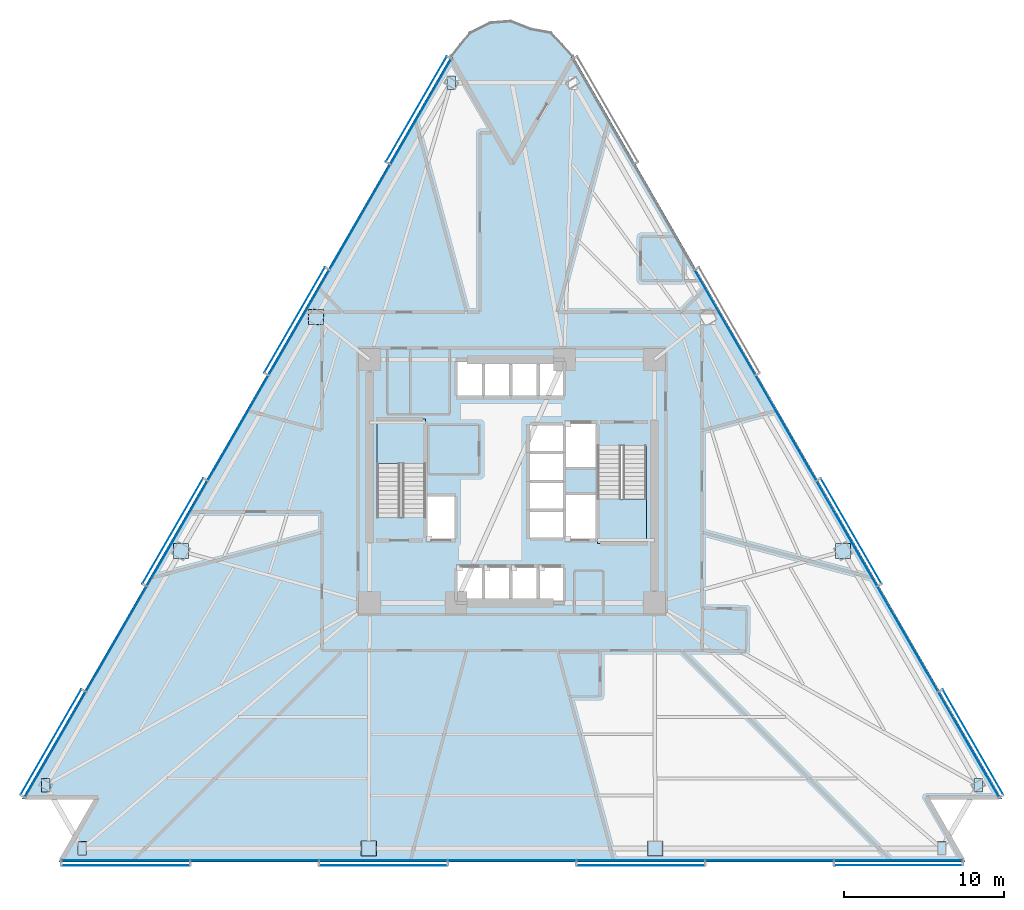
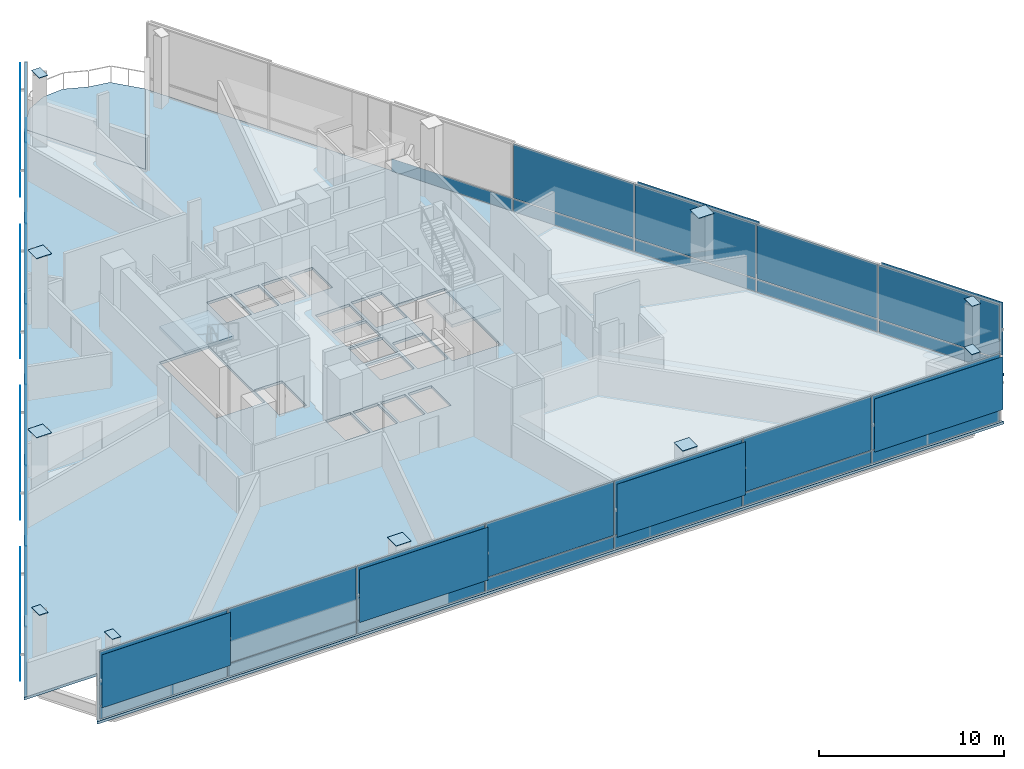
# One storey, part 6 of 17: 57 plates, 4 slabs, 5 elements without a shape of their own.
"""IFC4 building model written with IfcOpenShell, lengths in metres."""

from ifc_helpers import new_model, si_unit, direction, frame, origin, origin_2d, place, context, subcontext, project, spatial, polyline, rectangle, outline, extrude, material, layer, layer_set, type_object, element, aggregate, save


model = new_model("IFC4")

# Units and contexts
model_context = context("Model", 3, precision=1e-05, world=origin(), true_north=direction((0.0, 1.0)))
body_context = subcontext(model_context, "Body", "Model", "MODEL_VIEW")
ifc_project = project(units=[si_unit("LENGTHUNIT", "METRE"), si_unit("AREAUNIT", "SQUARE_METRE"), si_unit("VOLUMEUNIT", "CUBIC_METRE"), si_unit("PLANEANGLEUNIT", "RADIAN"), si_unit("MASSUNIT", "GRAM", prefix="KILO")], contexts=[model_context])

# Site, building, storey
site_placement = place(None, origin())
site = spatial("IfcSite", under=ifc_project, at=site_placement, CompositionType="ELEMENT")
building_placement = place(site_placement, origin())
building = spatial("IfcBuilding", under=site, at=building_placement, Name="Tharavind Bronze Gate", CompositionType="ELEMENT")
storey_placement = place(building_placement, frame((0.0, 0.0, 52.25)))
storey = spatial("IfcBuildingStorey", under=building, at=storey_placement, Name="L12", CompositionType="ELEMENT", Elevation=52.25)

# Plates
ifc_material_1 = material(Name="Perforated Bronze Alloy", Category="bronze")
ifc_layer_1 = layer(ifc_material_1, 0.011962890625)
ifc_layer_set_1 = layer_set([ifc_layer_1], Name="Perforated Bronze Alloy")
plate_type_1 = type_object("IfcPlateType", Name="BRONZE PERFORATED SOLAR SCREEN", PredefinedType="USERDEFINED", material=ifc_layer_set_1)
for number, where, z_axis, x_axis, name in (
    (1, (-5.976806640625, 23.27783203125, 0.97412109375), (0.0, 0.0, 1.0), (-0.500001511499, -0.866024531118, 0.0), "CW-L12-S1 perforated bronze solar screen 1"),
    (2, (-13.5927734375, 10.086669921875, 0.97412109375), (0.0, 0.0, 1.0), (-0.500001511499, -0.866024531118, 0.0), "CW-L12-S1 perforated bronze solar screen 3"),
    (3, (-21.208740234375, -3.1044921875, 0.97412109375), (0.0, 0.0, 1.0), (-0.500001511499, -0.866024531118, 0.0), "CW-L12-S1 perforated bronze solar screen 5"),
    (4, (-28.82470703125, -16.295654296875, 0.97412109375), (0.0, 0.0, 1.0), (-0.500001511499, -0.866024531118, 0.0), "CW-L12-S1 perforated bronze solar screen 7"),
):
    element("IfcPlate", number, at=place(storey_placement, frame(where, z_axis=z_axis, x_axis=x_axis)), inside=storey, type_object=plate_type_1, Name=name, ObjectType="SCREEN", PredefinedType="USERDEFINED", context=body_context, shape_type="SweptSolid", body=[
        extrude(rectangle(XDim=7.595947265625, YDim=0.011962890625, at=origin_2d()), origin(), (0.0, 0.0, 1.0), 3.511962890625),
    ])
for number, where, z_axis, x_axis, name in (
    (5, (-24.150634765625, -24.014892578125, 0.97412109375), (0.0, 0.0, 1.0), (1.0, 0.0, 0.0), "CW-L12-S2 perforated bronze solar screen 1"),
    (6, (-8.05029296875, -24.014892578125, 0.97412109375), (0.0, 0.0, 1.0), (1.0, 0.0, 0.0), "CW-L12-S2 perforated bronze solar screen 3"),
    (7, (8.05029296875, -24.014892578125, 0.97412109375), (0.0, 0.0, 1.0), (1.0, 0.0, 0.0), "CW-L12-S2 perforated bronze solar screen 5"),
    (8, (24.150634765625, -24.014892578125, 0.97412109375), (0.0, 0.0, 1.0), (1.0, 0.0, 0.0), "CW-L12-S2 perforated bronze solar screen 7"),
):
    element("IfcPlate", number, at=place(storey_placement, frame(where, z_axis=z_axis, x_axis=x_axis)), inside=storey, type_object=plate_type_1, Name=name, ObjectType="SCREEN", PredefinedType="USERDEFINED", context=body_context, shape_type="SweptSolid", body=[
        extrude(rectangle(XDim=8.0302734375, YDim=0.011962890625, at=origin_2d()), origin(), (0.0, 0.0, 1.0), 3.511962890625),
    ])
for number, where, z_axis, x_axis, name in (
    (9, (28.82470703125, -16.295654296875, 0.97412109375), (0.0, 0.0, 1.0), (-0.500001511499, 0.866024531118, 0.0), "CW-L12-S3 perforated bronze solar screen 1"),
    (10, (21.208740234375, -3.1044921875, 0.97412109375), (0.0, 0.0, 1.0), (-0.500001511499, 0.866024531118, 0.0), "CW-L12-S3 perforated bronze solar screen 3"),
):
    element("IfcPlate", number, at=place(storey_placement, frame(where, z_axis=z_axis, x_axis=x_axis)), inside=storey, type_object=plate_type_1, Name=name, ObjectType="SCREEN", PredefinedType="USERDEFINED", context=body_context, shape_type="SweptSolid", body=[
        extrude(rectangle(XDim=7.595947265625, YDim=0.011962890625, at=origin_2d()), origin(), (0.0, 0.0, 1.0), 3.511962890625),
    ])

# Curtain wall, plates
ifc_material_2 = material(Name="Anodised Bronze Aluminium", Category="aluminium")
ifc_layer_2 = layer(ifc_material_2, 0.219970703125)
ifc_layer_set_2 = layer_set([ifc_layer_2], Name="Anodised Bronze Aluminium")
curtain_wall_type = type_object("IfcCurtainWallType", Name="UNITISED CURTAIN WALL HOTEL", PredefinedType="USERDEFINED", material=ifc_layer_set_2)
curtain_wall_1_placement = place(storey_placement, origin())
curtain_wall_1 = element("IfcCurtainWall", 11, at=curtain_wall_1_placement, inside=storey, type_object=curtain_wall_type, Name="L12 unitised curtain wall hotel CW-L12-S1", ObjectType="UNITISED CURTAIN WALL", PredefinedType="USERDEFINED")
ifc_material_3 = material(Name="Patinated Bronze Alloy Sheet", Category="bronze")
ifc_layer_3 = layer(ifc_material_3, 0.01611328125)
ifc_layer_set_3 = layer_set([ifc_layer_3], Name="Patinated Bronze Alloy Sheet")
plate_type_2 = type_object("IfcPlateType", Name="BRONZE SPANDREL CLADDING PANEL 16", PredefinedType="CURTAIN_PANEL", material=ifc_layer_set_3)
plate_1_placement = place(storey_placement, frame((-5.7041015625, 23.120361328125, 0.033935546875), z_axis=(0.0, 0.0, 1.0), x_axis=(-0.500001511499, -0.866024531118, 0.0)))
plate_1 = element("IfcPlate", 12, at=plate_1_placement, type_object=plate_type_2, Name="CW-L12-S1 bronze spandrel panel 1", PredefinedType="CURTAIN_PANEL", context=body_context, shape_type="SweptSolid", body=[
    extrude(rectangle(XDim=7.5478515625, YDim=0.01611328125, at=origin_2d()), origin(), (0.0, 0.0, 1.0), 0.83203125),
])
plate_2_placement = place(storey_placement, frame((-9.511962890625, 16.52490234375, 0.033935546875), z_axis=(0.0, 0.0, 1.0), x_axis=(-0.500001511499, -0.866024531118, 0.0)))
plate_2 = element("IfcPlate", 13, at=plate_2_placement, type_object=plate_type_2, Name="CW-L12-S1 bronze spandrel panel 2", PredefinedType="CURTAIN_PANEL", context=body_context, shape_type="SweptSolid", body=[
    extrude(rectangle(XDim=7.5478515625, YDim=0.01611328125, at=origin_2d()), origin(), (0.0, 0.0, 1.0), 0.83203125),
])
plate_3_placement = place(storey_placement, frame((-13.31982421875, 9.92919921875, 0.033935546875), z_axis=(0.0, 0.0, 1.0), x_axis=(-0.500001511499, -0.866024531118, 0.0)))
plate_3 = element("IfcPlate", 14, at=plate_3_placement, type_object=plate_type_2, Name="CW-L12-S1 bronze spandrel panel 3", PredefinedType="CURTAIN_PANEL", context=body_context, shape_type="SweptSolid", body=[
    extrude(rectangle(XDim=7.5478515625, YDim=0.01611328125, at=origin_2d()), origin(), (0.0, 0.0, 1.0), 0.83203125),
])
plate_4_placement = place(storey_placement, frame((-17.1279296875, 3.33349609375, 0.033935546875), z_axis=(0.0, 0.0, 1.0), x_axis=(-0.500001511499, -0.866024531118, 0.0)))
plate_4 = element("IfcPlate", 15, at=plate_4_placement, type_object=plate_type_2, Name="CW-L12-S1 bronze spandrel panel 4", PredefinedType="CURTAIN_PANEL", context=body_context, shape_type="SweptSolid", body=[
    extrude(rectangle(XDim=7.5478515625, YDim=0.01611328125, at=origin_2d()), origin(), (0.0, 0.0, 1.0), 0.83203125),
])
plate_5_placement = place(storey_placement, frame((-20.935791015625, -3.261962890625, 0.033935546875), z_axis=(0.0, 0.0, 1.0), x_axis=(-0.500001511499, -0.866024531118, 0.0)))
plate_5 = element("IfcPlate", 16, at=plate_5_placement, type_object=plate_type_2, Name="CW-L12-S1 bronze spandrel panel 5", PredefinedType="CURTAIN_PANEL", context=body_context, shape_type="SweptSolid", body=[
    extrude(rectangle(XDim=7.5478515625, YDim=0.01611328125, at=origin_2d()), origin(), (0.0, 0.0, 1.0), 0.83203125),
])
plate_6_placement = place(storey_placement, frame((-24.743896484375, -9.857421875, 0.033935546875), z_axis=(0.0, 0.0, 1.0), x_axis=(-0.500001511499, -0.866024531118, 0.0)))
plate_6 = element("IfcPlate", 17, at=plate_6_placement, type_object=plate_type_2, Name="CW-L12-S1 bronze spandrel panel 6", PredefinedType="CURTAIN_PANEL", context=body_context, shape_type="SweptSolid", body=[
    extrude(rectangle(XDim=7.5478515625, YDim=0.01611328125, at=origin_2d()), origin(), (0.0, 0.0, 1.0), 0.83203125),
])
plate_7_placement = place(storey_placement, frame((-28.5517578125, -16.453125, 0.033935546875), z_axis=(0.0, 0.0, 1.0), x_axis=(-0.500001511499, -0.866024531118, 0.0)))
plate_7 = element("IfcPlate", 18, at=plate_7_placement, type_object=plate_type_2, Name="CW-L12-S1 bronze spandrel panel 7", PredefinedType="CURTAIN_PANEL", context=body_context, shape_type="SweptSolid", body=[
    extrude(rectangle(XDim=7.5478515625, YDim=0.01611328125, at=origin_2d()), origin(), (0.0, 0.0, 1.0), 0.83203125),
])

curtain_wall_2_placement = place(storey_placement, origin())
curtain_wall_2 = element("IfcCurtainWall", 19, at=curtain_wall_2_placement, inside=storey, type_object=curtain_wall_type, Name="L12 unitised curtain wall hotel CW-L12-S2", ObjectType="UNITISED CURTAIN WALL", PredefinedType="USERDEFINED")
plate_8_placement = place(storey_placement, frame((-24.150634765625, -23.699951171875, 0.033935546875), z_axis=(0.0, 0.0, 1.0), x_axis=(1.0, 0.0, 0.0)))
plate_8 = element("IfcPlate", 20, at=plate_8_placement, type_object=plate_type_2, Name="CW-L12-S2 bronze spandrel panel 1", PredefinedType="CURTAIN_PANEL", context=body_context, shape_type="SweptSolid", body=[
    extrude(rectangle(XDim=7.982177734375, YDim=0.01611328125, at=origin_2d()), origin(), (0.0, 0.0, 1.0), 0.83203125),
])
plate_9_placement = place(storey_placement, frame((-16.1005859375, -23.699951171875, 0.033935546875), z_axis=(0.0, 0.0, 1.0), x_axis=(1.0, 0.0, 0.0)))
plate_9 = element("IfcPlate", 21, at=plate_9_placement, type_object=plate_type_2, Name="CW-L12-S2 bronze spandrel panel 2", PredefinedType="CURTAIN_PANEL", context=body_context, shape_type="SweptSolid", body=[
    extrude(rectangle(XDim=7.982177734375, YDim=0.01611328125, at=origin_2d()), origin(), (0.0, 0.0, 1.0), 0.83203125),
])
plate_10_placement = place(storey_placement, frame((-8.05029296875, -23.699951171875, 0.033935546875), z_axis=(0.0, 0.0, 1.0), x_axis=(1.0, 0.0, 0.0)))
plate_10 = element("IfcPlate", 22, at=plate_10_placement, type_object=plate_type_2, Name="CW-L12-S2 bronze spandrel panel 3", PredefinedType="CURTAIN_PANEL", context=body_context, shape_type="SweptSolid", body=[
    extrude(rectangle(XDim=7.982177734375, YDim=0.01611328125, at=origin_2d()), origin(), (0.0, 0.0, 1.0), 0.83203125),
])
plate_11_placement = place(storey_placement, frame((0.0, -23.699951171875, 0.033935546875), z_axis=(0.0, 0.0, 1.0), x_axis=(1.0, 0.0, 0.0)))
plate_11 = element("IfcPlate", 23, at=plate_11_placement, type_object=plate_type_2, Name="CW-L12-S2 bronze spandrel panel 4", PredefinedType="CURTAIN_PANEL", context=body_context, shape_type="SweptSolid", body=[
    extrude(rectangle(XDim=7.982177734375, YDim=0.01611328125, at=origin_2d()), origin(), (0.0, 0.0, 1.0), 0.83203125),
])
plate_12_placement = place(storey_placement, frame((8.05029296875, -23.699951171875, 0.033935546875), z_axis=(0.0, 0.0, 1.0), x_axis=(1.0, 0.0, 0.0)))
plate_12 = element("IfcPlate", 24, at=plate_12_placement, type_object=plate_type_2, Name="CW-L12-S2 bronze spandrel panel 5", PredefinedType="CURTAIN_PANEL", context=body_context, shape_type="SweptSolid", body=[
    extrude(rectangle(XDim=7.982177734375, YDim=0.01611328125, at=origin_2d()), origin(), (0.0, 0.0, 1.0), 0.83203125),
])
plate_13_placement = place(storey_placement, frame((16.1005859375, -23.699951171875, 0.033935546875), z_axis=(0.0, 0.0, 1.0), x_axis=(1.0, 0.0, 0.0)))
plate_13 = element("IfcPlate", 25, at=plate_13_placement, type_object=plate_type_2, Name="CW-L12-S2 bronze spandrel panel 6", PredefinedType="CURTAIN_PANEL", context=body_context, shape_type="SweptSolid", body=[
    extrude(rectangle(XDim=7.982177734375, YDim=0.01611328125, at=origin_2d()), origin(), (0.0, 0.0, 1.0), 0.83203125),
])
plate_14_placement = place(storey_placement, frame((24.150634765625, -23.699951171875, 0.033935546875), z_axis=(0.0, 0.0, 1.0), x_axis=(1.0, 0.0, 0.0)))
plate_14 = element("IfcPlate", 26, at=plate_14_placement, type_object=plate_type_2, Name="CW-L12-S2 bronze spandrel panel 7", PredefinedType="CURTAIN_PANEL", context=body_context, shape_type="SweptSolid", body=[
    extrude(rectangle(XDim=7.982177734375, YDim=0.01611328125, at=origin_2d()), origin(), (0.0, 0.0, 1.0), 0.83203125),
])

curtain_wall_3_placement = place(storey_placement, origin())
curtain_wall_3 = element("IfcCurtainWall", 27, at=curtain_wall_3_placement, inside=storey, type_object=curtain_wall_type, Name="L12 unitised curtain wall hotel CW-L12-S3", ObjectType="UNITISED CURTAIN WALL", PredefinedType="USERDEFINED")
plate_15_placement = place(storey_placement, frame((28.5517578125, -16.453125, 0.033935546875), z_axis=(0.0, 0.0, 1.0), x_axis=(-0.500001511499, 0.866024531118, 0.0)))
plate_15 = element("IfcPlate", 28, at=plate_15_placement, type_object=plate_type_2, Name="CW-L12-S3 bronze spandrel panel 1", PredefinedType="CURTAIN_PANEL", context=body_context, shape_type="SweptSolid", body=[
    extrude(rectangle(XDim=7.5478515625, YDim=0.01611328125, at=origin_2d()), origin(), (0.0, 0.0, 1.0), 0.83203125),
])
plate_16_placement = place(storey_placement, frame((24.743896484375, -9.857421875, 0.033935546875), z_axis=(0.0, 0.0, 1.0), x_axis=(-0.500001511499, 0.866024531118, 0.0)))
plate_16 = element("IfcPlate", 29, at=plate_16_placement, type_object=plate_type_2, Name="CW-L12-S3 bronze spandrel panel 2", PredefinedType="CURTAIN_PANEL", context=body_context, shape_type="SweptSolid", body=[
    extrude(rectangle(XDim=7.5478515625, YDim=0.01611328125, at=origin_2d()), origin(), (0.0, 0.0, 1.0), 0.83203125),
])
plate_17_placement = place(storey_placement, frame((20.935791015625, -3.261962890625, 0.033935546875), z_axis=(0.0, 0.0, 1.0), x_axis=(-0.500001511499, 0.866024531118, 0.0)))
plate_17 = element("IfcPlate", 30, at=plate_17_placement, type_object=plate_type_2, Name="CW-L12-S3 bronze spandrel panel 3", PredefinedType="CURTAIN_PANEL", context=body_context, shape_type="SweptSolid", body=[
    extrude(rectangle(XDim=7.5478515625, YDim=0.01611328125, at=origin_2d()), origin(), (0.0, 0.0, 1.0), 0.83203125),
])
plate_18_placement = place(storey_placement, frame((17.1279296875, 3.33349609375, 0.033935546875), z_axis=(0.0, 0.0, 1.0), x_axis=(-0.500001511499, 0.866024531118, 0.0)))
plate_18 = element("IfcPlate", 31, at=plate_18_placement, type_object=plate_type_2, Name="CW-L12-S3 bronze spandrel panel 4", PredefinedType="CURTAIN_PANEL", context=body_context, shape_type="SweptSolid", body=[
    extrude(rectangle(XDim=7.5478515625, YDim=0.01611328125, at=origin_2d()), origin(), (0.0, 0.0, 1.0), 0.83203125),
])
plate_19_placement = place(storey_placement, frame((13.31982421875, 9.92919921875, 0.033935546875), z_axis=(0.0, 0.0, 1.0), x_axis=(-0.500001511499, 0.866024531118, 0.0)))
plate_19 = element("IfcPlate", 32, at=plate_19_placement, type_object=plate_type_2, Name="CW-L12-S3 bronze spandrel panel 5", PredefinedType="CURTAIN_PANEL", context=body_context, shape_type="SweptSolid", body=[
    extrude(rectangle(XDim=7.5478515625, YDim=0.01611328125, at=origin_2d()), origin(), (0.0, 0.0, 1.0), 0.83203125),
])

# Plate
ifc_material_4 = material(Name="Low-E Double Glazing", Category="glass")
ifc_layer_4 = layer(ifc_material_4, 0.031982421875)
ifc_layer_set_4 = layer_set([ifc_layer_4], Name="Low-E Double Glazing")
plate_type_3 = type_object("IfcPlateType", Name="DOUBLE GLAZED FACADE PANEL 32", PredefinedType="CURTAIN_PANEL", material=ifc_layer_set_4)
plate_20_placement = place(storey_placement, frame((-5.7041015625, 23.120361328125, 0.93408203125), z_axis=(0.0, 0.0, 1.0), x_axis=(-0.500001511499, -0.866024531118, 0.0)))
plate_20 = element("IfcPlate", 33, at=plate_20_placement, type_object=plate_type_3, Name="CW-L12-S1 vision glazing panel 1", PredefinedType="CURTAIN_PANEL", context=body_context, shape_type="SweptSolid", body=[
    extrude(rectangle(XDim=7.5478515625, YDim=0.031982421875, at=origin_2d()), origin(), (0.0, 0.0, 1.0), 3.592041015625),
])

plate_21_placement = place(storey_placement, frame((-9.511962890625, 16.52490234375, 0.93408203125), z_axis=(0.0, 0.0, 1.0), x_axis=(-0.500001511499, -0.866024531118, 0.0)))
plate_21 = element("IfcPlate", 34, at=plate_21_placement, type_object=plate_type_3, Name="CW-L12-S1 vision glazing panel 2", PredefinedType="CURTAIN_PANEL", context=body_context, shape_type="SweptSolid", body=[
    extrude(rectangle(XDim=7.5478515625, YDim=0.031982421875, at=origin_2d()), origin(), (0.0, 0.0, 1.0), 3.592041015625),
])

plate_22_placement = place(storey_placement, frame((-13.31982421875, 9.92919921875, 0.93408203125), z_axis=(0.0, 0.0, 1.0), x_axis=(-0.500001511499, -0.866024531118, 0.0)))
plate_22 = element("IfcPlate", 35, at=plate_22_placement, type_object=plate_type_3, Name="CW-L12-S1 vision glazing panel 3", PredefinedType="CURTAIN_PANEL", context=body_context, shape_type="SweptSolid", body=[
    extrude(rectangle(XDim=7.5478515625, YDim=0.031982421875, at=origin_2d()), origin(), (0.0, 0.0, 1.0), 3.592041015625),
])

plate_23_placement = place(storey_placement, frame((-17.1279296875, 3.33349609375, 0.93408203125), z_axis=(0.0, 0.0, 1.0), x_axis=(-0.500001511499, -0.866024531118, 0.0)))
plate_23 = element("IfcPlate", 36, at=plate_23_placement, type_object=plate_type_3, Name="CW-L12-S1 vision glazing panel 4", PredefinedType="CURTAIN_PANEL", context=body_context, shape_type="SweptSolid", body=[
    extrude(rectangle(XDim=7.5478515625, YDim=0.031982421875, at=origin_2d()), origin(), (0.0, 0.0, 1.0), 3.592041015625),
])

plate_24_placement = place(storey_placement, frame((-20.935791015625, -3.261962890625, 0.93408203125), z_axis=(0.0, 0.0, 1.0), x_axis=(-0.500001511499, -0.866024531118, 0.0)))
plate_24 = element("IfcPlate", 37, at=plate_24_placement, type_object=plate_type_3, Name="CW-L12-S1 vision glazing panel 5", PredefinedType="CURTAIN_PANEL", context=body_context, shape_type="SweptSolid", body=[
    extrude(rectangle(XDim=7.5478515625, YDim=0.031982421875, at=origin_2d()), origin(), (0.0, 0.0, 1.0), 3.592041015625),
])

plate_25_placement = place(storey_placement, frame((-24.743896484375, -9.857421875, 0.93408203125), z_axis=(0.0, 0.0, 1.0), x_axis=(-0.500001511499, -0.866024531118, 0.0)))
plate_25 = element("IfcPlate", 38, at=plate_25_placement, type_object=plate_type_3, Name="CW-L12-S1 vision glazing panel 6", PredefinedType="CURTAIN_PANEL", context=body_context, shape_type="SweptSolid", body=[
    extrude(rectangle(XDim=7.5478515625, YDim=0.031982421875, at=origin_2d()), origin(), (0.0, 0.0, 1.0), 3.592041015625),
])

plate_26_placement = place(storey_placement, frame((-28.5517578125, -16.453125, 0.93408203125), z_axis=(0.0, 0.0, 1.0), x_axis=(-0.500001511499, -0.866024531118, 0.0)))
plate_26 = element("IfcPlate", 39, at=plate_26_placement, type_object=plate_type_3, Name="CW-L12-S1 vision glazing panel 7", PredefinedType="CURTAIN_PANEL", context=body_context, shape_type="SweptSolid", body=[
    extrude(rectangle(XDim=7.5478515625, YDim=0.031982421875, at=origin_2d()), origin(), (0.0, 0.0, 1.0), 3.592041015625),
])

aggregate(curtain_wall_1, [plate_1, plate_20, plate_2, plate_21, plate_3, plate_22, plate_4, plate_23, plate_5, plate_24, plate_6, plate_25, plate_7, plate_26])

plate_27_placement = place(storey_placement, frame((-24.150634765625, -23.699951171875, 0.93408203125), z_axis=(0.0, 0.0, 1.0), x_axis=(1.0, 0.0, 0.0)))
plate_27 = element("IfcPlate", 40, at=plate_27_placement, type_object=plate_type_3, Name="CW-L12-S2 vision glazing panel 1", PredefinedType="CURTAIN_PANEL", context=body_context, shape_type="SweptSolid", body=[
    extrude(rectangle(XDim=7.982177734375, YDim=0.031982421875, at=origin_2d()), origin(), (0.0, 0.0, 1.0), 3.592041015625),
])

plate_28_placement = place(storey_placement, frame((-16.1005859375, -23.699951171875, 0.93408203125), z_axis=(0.0, 0.0, 1.0), x_axis=(1.0, 0.0, 0.0)))
plate_28 = element("IfcPlate", 41, at=plate_28_placement, type_object=plate_type_3, Name="CW-L12-S2 vision glazing panel 2", PredefinedType="CURTAIN_PANEL", context=body_context, shape_type="SweptSolid", body=[
    extrude(rectangle(XDim=7.982177734375, YDim=0.031982421875, at=origin_2d()), origin(), (0.0, 0.0, 1.0), 3.592041015625),
])

plate_29_placement = place(storey_placement, frame((-8.05029296875, -23.699951171875, 0.93408203125), z_axis=(0.0, 0.0, 1.0), x_axis=(1.0, 0.0, 0.0)))
plate_29 = element("IfcPlate", 42, at=plate_29_placement, type_object=plate_type_3, Name="CW-L12-S2 vision glazing panel 3", PredefinedType="CURTAIN_PANEL", context=body_context, shape_type="SweptSolid", body=[
    extrude(rectangle(XDim=7.982177734375, YDim=0.031982421875, at=origin_2d()), origin(), (0.0, 0.0, 1.0), 3.592041015625),
])

plate_30_placement = place(storey_placement, frame((0.0, -23.699951171875, 0.93408203125), z_axis=(0.0, 0.0, 1.0), x_axis=(1.0, 0.0, 0.0)))
plate_30 = element("IfcPlate", 43, at=plate_30_placement, type_object=plate_type_3, Name="CW-L12-S2 vision glazing panel 4", PredefinedType="CURTAIN_PANEL", context=body_context, shape_type="SweptSolid", body=[
    extrude(rectangle(XDim=7.982177734375, YDim=0.031982421875, at=origin_2d()), origin(), (0.0, 0.0, 1.0), 3.592041015625),
])

plate_31_placement = place(storey_placement, frame((8.05029296875, -23.699951171875, 0.93408203125), z_axis=(0.0, 0.0, 1.0), x_axis=(1.0, 0.0, 0.0)))
plate_31 = element("IfcPlate", 44, at=plate_31_placement, type_object=plate_type_3, Name="CW-L12-S2 vision glazing panel 5", PredefinedType="CURTAIN_PANEL", context=body_context, shape_type="SweptSolid", body=[
    extrude(rectangle(XDim=7.982177734375, YDim=0.031982421875, at=origin_2d()), origin(), (0.0, 0.0, 1.0), 3.592041015625),
])

plate_32_placement = place(storey_placement, frame((16.1005859375, -23.699951171875, 0.93408203125), z_axis=(0.0, 0.0, 1.0), x_axis=(1.0, 0.0, 0.0)))
plate_32 = element("IfcPlate", 45, at=plate_32_placement, type_object=plate_type_3, Name="CW-L12-S2 vision glazing panel 6", PredefinedType="CURTAIN_PANEL", context=body_context, shape_type="SweptSolid", body=[
    extrude(rectangle(XDim=7.982177734375, YDim=0.031982421875, at=origin_2d()), origin(), (0.0, 0.0, 1.0), 3.592041015625),
])

plate_33_placement = place(storey_placement, frame((24.150634765625, -23.699951171875, 0.93408203125), z_axis=(0.0, 0.0, 1.0), x_axis=(1.0, 0.0, 0.0)))
plate_33 = element("IfcPlate", 46, at=plate_33_placement, type_object=plate_type_3, Name="CW-L12-S2 vision glazing panel 7", PredefinedType="CURTAIN_PANEL", context=body_context, shape_type="SweptSolid", body=[
    extrude(rectangle(XDim=7.982177734375, YDim=0.031982421875, at=origin_2d()), origin(), (0.0, 0.0, 1.0), 3.592041015625),
])

aggregate(curtain_wall_2, [plate_8, plate_27, plate_9, plate_28, plate_10, plate_29, plate_11, plate_30, plate_12, plate_31, plate_13, plate_32, plate_14, plate_33])

plate_34_placement = place(storey_placement, frame((28.5517578125, -16.453125, 0.93408203125), z_axis=(0.0, 0.0, 1.0), x_axis=(-0.500001511499, 0.866024531118, 0.0)))
plate_34 = element("IfcPlate", 47, at=plate_34_placement, type_object=plate_type_3, Name="CW-L12-S3 vision glazing panel 1", PredefinedType="CURTAIN_PANEL", context=body_context, shape_type="SweptSolid", body=[
    extrude(rectangle(XDim=7.5478515625, YDim=0.031982421875, at=origin_2d()), origin(), (0.0, 0.0, 1.0), 3.592041015625),
])

plate_35_placement = place(storey_placement, frame((24.743896484375, -9.857421875, 0.93408203125), z_axis=(0.0, 0.0, 1.0), x_axis=(-0.500001511499, 0.866024531118, 0.0)))
plate_35 = element("IfcPlate", 48, at=plate_35_placement, type_object=plate_type_3, Name="CW-L12-S3 vision glazing panel 2", PredefinedType="CURTAIN_PANEL", context=body_context, shape_type="SweptSolid", body=[
    extrude(rectangle(XDim=7.5478515625, YDim=0.031982421875, at=origin_2d()), origin(), (0.0, 0.0, 1.0), 3.592041015625),
])

plate_36_placement = place(storey_placement, frame((20.935791015625, -3.261962890625, 0.93408203125), z_axis=(0.0, 0.0, 1.0), x_axis=(-0.500001511499, 0.866024531118, 0.0)))
plate_36 = element("IfcPlate", 49, at=plate_36_placement, type_object=plate_type_3, Name="CW-L12-S3 vision glazing panel 3", PredefinedType="CURTAIN_PANEL", context=body_context, shape_type="SweptSolid", body=[
    extrude(rectangle(XDim=7.5478515625, YDim=0.031982421875, at=origin_2d()), origin(), (0.0, 0.0, 1.0), 3.592041015625),
])

plate_37_placement = place(storey_placement, frame((17.1279296875, 3.33349609375, 0.93408203125), z_axis=(0.0, 0.0, 1.0), x_axis=(-0.500001511499, 0.866024531118, 0.0)))
plate_37 = element("IfcPlate", 50, at=plate_37_placement, type_object=plate_type_3, Name="CW-L12-S3 vision glazing panel 4", PredefinedType="CURTAIN_PANEL", context=body_context, shape_type="SweptSolid", body=[
    extrude(rectangle(XDim=7.5478515625, YDim=0.031982421875, at=origin_2d()), origin(), (0.0, 0.0, 1.0), 3.592041015625),
])

aggregate(curtain_wall_3, [plate_15, plate_34, plate_16, plate_35, plate_17, plate_36, plate_18, plate_37, plate_19])

# Slab
ifc_material_5 = material(Name="Concrete C40/50", Category="concrete")
ifc_layer_5 = layer(ifc_material_5, 0.175048828125)
ifc_layer_set_5 = layer_set([ifc_layer_5], Name="Concrete C40/50")
slab_type_1 = type_object("IfcSlabType", Name="EXTERIOR BALCONY SLAB 175", PredefinedType="FLOOR", material=ifc_layer_set_5)
slab_1_placement = place(storey_placement, frame((0.0, 0.0, -0.175048828125)))
element("IfcSlab", 51, at=slab_1_placement, inside=storey, type_object=slab_type_1, Name="L12 northeast tree balcony slab", PredefinedType="FLOOR", context=body_context, shape_type="SweptSolid", body=[
    extrude(outline(polyline([(2.44384765625, 28.1181640625), (1.17724609375, 28.349609375), (-0.089599609375, 28.847900390625), (-1.356201171875, 28.7490234375), (-2.622802734375, 28.1181640625), (-3.800048828125, 26.6181640625), (0.0, 20.036376953125), (3.800048828125, 26.6181640625), (2.44384765625, 28.1181640625)])), origin(), (0.0, 0.0, 1.0), 0.175048828125),
])

# Stair, slab
stair_type = type_object("IfcStairType", Name="CORE HALF TURN STAIR 1450", PredefinedType="HALF_TURN_STAIR", material=ifc_material_5)
stair_1_placement = place(storey_placement, origin())
stair_1 = element("IfcStair", 52, at=stair_1_placement, inside=storey, type_object=stair_type, Name="L12 Protected Exit Stair ST1", PredefinedType="HALF_TURN_STAIR")
ifc_layer_6 = layer(ifc_material_5, 0.199951171875)
ifc_layer_set_6 = layer_set([ifc_layer_6], Name="Concrete C40/50")
slab_type_2 = type_object("IfcSlabType", Name="STAIR LANDING SLAB 200", PredefinedType="LANDING", material=ifc_layer_set_6)
slab_2_placement = place(storey_placement, frame((0.0, 0.0, 2.175048828125)))
slab_2 = element("IfcSlab", 53, at=slab_2_placement, type_object=slab_type_2, Name="ST1 landing 1", PredefinedType="LANDING", context=body_context, shape_type="SweptSolid", body=[
    extrude(outline(polyline([(-5.39990234375, 1.110107421875), (-5.39990234375, 3.89990234375), (-8.449951171875, 3.89990234375), (-8.449951171875, 1.110107421875), (-5.39990234375, 1.110107421875)])), origin(), (0.0, 0.0, 1.0), 0.199951171875),
])
aggregate(stair_1, [slab_2])

stair_2_placement = place(storey_placement, origin())
stair_2 = element("IfcStair", 54, at=stair_2_placement, inside=storey, type_object=stair_type, Name="L12 Protected Exit Stair ST2", PredefinedType="HALF_TURN_STAIR")
slab_3_placement = place(storey_placement, frame((0.0, 0.0, 2.175048828125)))
slab_3 = element("IfcSlab", 55, at=slab_3_placement, type_object=slab_type_2, Name="ST2 landing 1", PredefinedType="LANDING", context=body_context, shape_type="SweptSolid", body=[
    extrude(outline(polyline([(5.35009765625, -1.110107421875), (5.35009765625, -3.89990234375), (8.39990234375, -3.89990234375), (8.39990234375, -1.110107421875), (5.35009765625, -1.110107421875)])), origin(), (0.0, 0.0, 1.0), 0.199951171875),
])
aggregate(stair_2, [slab_3])

# Plates
ifc_material_6 = material(Name="Steel S460", Category="steel")
ifc_layer_7 = layer(ifc_material_6, 0.02490234375)
ifc_layer_set_7 = layer_set([ifc_layer_7], Name="Steel S460")
plate_type_4 = type_object("IfcPlateType", Name="STEEL END CAP SHEET 25", PredefinedType="SHEET", material=ifc_layer_set_7)
plate_38_placement = place(storey_placement, frame((-3.800048828125, 24.918212890625, 4.737548828125), z_axis=(0.0, 0.0, 1.0), x_axis=(1.0, 0.0, 0.0)))
element("IfcPlate", 56, at=plate_38_placement, inside=storey, type_object=plate_type_4, Name="Steel end cap plate CAP-COLT-L12-S1C1", PredefinedType="SHEET", context=body_context, shape_type="SweptSolid", body=[
    extrude(rectangle(XDim=0.544921875, YDim=0.844970703125, at=origin_2d()), origin(), (0.0, 0.0, 1.0), 0.02490234375),
])
for number, where, z_axis, x_axis, name in (
    (57, (-12.252197265625, 10.278564453125, 4.737548828125), (0.0, 0.0, 1.0), (1.0, 0.0, 0.0), "Steel end cap plate CAP-COLT-L12-S1C2"),
    (58, (-20.70458984375, -4.361083984375, 4.737548828125), (0.0, 0.0, 1.0), (1.0, 0.0, 0.0), "Steel end cap plate CAP-COLT-L12-S1C3"),
):
    element("IfcPlate", number, at=place(storey_placement, frame(where, z_axis=z_axis, x_axis=x_axis)), inside=storey, type_object=plate_type_4, Name=name, PredefinedType="SHEET", context=body_context, shape_type="SweptSolid", body=[
        extrude(rectangle(XDim=0.945068359375, YDim=0.945068359375, at=origin_2d()), origin(), (0.0, 0.0, 1.0), 0.02490234375),
    ])
for number, where, z_axis, x_axis, name in (
    (59, (-29.15673828125, -19.0009765625, 4.737548828125), (0.0, 0.0, 1.0), (1.0, 0.0, 0.0), "Steel end cap plate CAP-COLT-L12-S1C4"),
    (60, (-26.876708984375, -22.949951171875, 4.737548828125), (0.0, 0.0, 1.0), (1.0, 0.0, 0.0), "Steel end cap plate CAP-COLT-L12-S2C1"),
):
    element("IfcPlate", number, at=place(storey_placement, frame(where, z_axis=z_axis, x_axis=x_axis)), inside=storey, type_object=plate_type_4, Name=name, PredefinedType="SHEET", context=body_context, shape_type="SweptSolid", body=[
        extrude(rectangle(XDim=0.544921875, YDim=0.844970703125, at=origin_2d()), origin(), (0.0, 0.0, 1.0), 0.02490234375),
    ])
for number, where, z_axis, x_axis, name in (
    (61, (-8.958984375, -22.949951171875, 4.737548828125), (0.0, 0.0, 1.0), (1.0, 0.0, 0.0), "Steel end cap plate CAP-COLT-L12-S2C2"),
    (62, (8.958984375, -22.949951171875, 4.737548828125), (0.0, 0.0, 1.0), (1.0, 0.0, 0.0), "Steel end cap plate CAP-COLT-L12-S2C3"),
):
    element("IfcPlate", number, at=place(storey_placement, frame(where, z_axis=z_axis, x_axis=x_axis)), inside=storey, type_object=plate_type_4, Name=name, PredefinedType="SHEET", context=body_context, shape_type="SweptSolid", body=[
        extrude(rectangle(XDim=0.945068359375, YDim=0.945068359375, at=origin_2d()), origin(), (0.0, 0.0, 1.0), 0.02490234375),
    ])
for number, where, z_axis, x_axis, name in (
    (63, (26.876708984375, -22.949951171875, 4.737548828125), (0.0, 0.0, 1.0), (1.0, 0.0, 0.0), "Steel end cap plate CAP-COLT-L12-S2C4"),
    (64, (29.15673828125, -19.0009765625, 4.737548828125), (0.0, 0.0, 1.0), (1.0, 0.0, 0.0), "Steel end cap plate CAP-COLT-L12-S3C1"),
):
    element("IfcPlate", number, at=place(storey_placement, frame(where, z_axis=z_axis, x_axis=x_axis)), inside=storey, type_object=plate_type_4, Name=name, PredefinedType="SHEET", context=body_context, shape_type="SweptSolid", body=[
        extrude(rectangle(XDim=0.544921875, YDim=0.844970703125, at=origin_2d()), origin(), (0.0, 0.0, 1.0), 0.02490234375),
    ])
plate_39_placement = place(storey_placement, frame((20.70458984375, -4.361083984375, 4.737548828125), z_axis=(0.0, 0.0, 1.0), x_axis=(1.0, 0.0, 0.0)))
element("IfcPlate", 65, at=plate_39_placement, inside=storey, type_object=plate_type_4, Name="Steel end cap plate CAP-COLT-L12-S3C2", PredefinedType="SHEET", context=body_context, shape_type="SweptSolid", body=[
    extrude(rectangle(XDim=0.945068359375, YDim=0.945068359375, at=origin_2d()), origin(), (0.0, 0.0, 1.0), 0.02490234375),
])

# Slab
ifc_layer_8 = layer(ifc_material_5, 0.175048828125)
ifc_layer_set_8 = layer_set([ifc_layer_8], Name="Concrete C40/50")
slab_type_3 = type_object("IfcSlabType", Name="STRUCTURAL FLOOR SLAB 175", PredefinedType="FLOOR", material=ifc_layer_set_8)
slab_4_placement = place(storey_placement, frame((0.0, 0.0, -0.175048828125)))
element("IfcSlab", 66, at=slab_4_placement, inside=storey, type_object=slab_type_3, Name="L12 main structural floor slab", PredefinedType="FLOOR", context=body_context, shape_type="SweptSolid", body=[
    extrude(outline(polyline([(3.800048828125, 26.6181640625), (0.0, 20.036376953125), (-3.800048828125, 26.6181640625), (-30.62890625, -19.850830078125), (-26.069091796875, -19.850830078125), (-28.34912109375, -23.800048828125), (28.34912109375, -23.800048828125), (26.069091796875, -19.850830078125), (30.62890625, -19.850830078125), (3.800048828125, 26.6181640625)]), holes=[polyline([(-5.39990234375, -2.215087890625), (-5.39990234375, 3.89990234375), (-8.449951171875, 3.89990234375), (-8.449951171875, -2.215087890625), (-5.39990234375, -2.215087890625)]), polyline([(5.35009765625, 2.215087890625), (5.35009765625, -3.89990234375), (8.39990234375, -3.89990234375), (8.39990234375, 2.215087890625), (5.35009765625, 2.215087890625)]), polyline([(-3.419921875, -7.52001953125), (-1.867431640625, -7.52001953125), (-1.867431640625, -5.3798828125), (-3.419921875, -5.3798828125), (-3.419921875, -7.52001953125)]), polyline([(-1.70751953125, -7.52001953125), (-0.155029296875, -7.52001953125), (-0.155029296875, -5.3798828125), (-1.70751953125, -5.3798828125), (-1.70751953125, -7.52001953125)]), polyline([(0.0048828125, -7.52001953125), (1.5576171875, -7.52001953125), (1.5576171875, -5.3798828125), (0.0048828125, -5.3798828125), (0.0048828125, -7.52001953125)]), polyline([(1.717529296875, -7.52001953125), (3.199951171875, -7.52001953125), (3.199951171875, -5.3798828125), (1.717529296875, -5.3798828125), (1.717529296875, -7.52001953125)]), polyline([(-3.419921875, 5.330078125), (-1.867431640625, 5.330078125), (-1.867431640625, 7.52001953125), (-3.419921875, 7.52001953125), (-3.419921875, 5.330078125)]), polyline([(-1.70751953125, 5.330078125), (-0.155029296875, 5.330078125), (-0.155029296875, 7.52001953125), (-1.70751953125, 7.52001953125), (-1.70751953125, 5.330078125)]), polyline([(0.0048828125, 5.330078125), (1.5576171875, 5.330078125), (1.5576171875, 7.52001953125), (0.0048828125, 7.52001953125), (0.0048828125, 5.330078125)]), polyline([(1.717529296875, 5.330078125), (3.199951171875, 5.330078125), (3.199951171875, 7.52001953125), (1.717529296875, 7.52001953125), (1.717529296875, 5.330078125)]), polyline([(1.080078125, -3.52001953125), (3.199951171875, -3.52001953125), (3.199951171875, -1.8798828125), (1.080078125, -1.8798828125), (1.080078125, -3.52001953125)]), polyline([(1.080078125, -1.719970703125), (3.199951171875, -1.719970703125), (3.199951171875, -0.080078125), (1.080078125, -0.080078125), (1.080078125, -1.719970703125)]), polyline([(1.080078125, 0.080078125), (3.199951171875, 0.080078125), (3.199951171875, 1.719970703125), (1.080078125, 1.719970703125), (1.080078125, 0.080078125)]), polyline([(1.080078125, 1.8798828125), (3.199951171875, 1.8798828125), (3.199951171875, 3.52001953125), (1.080078125, 3.52001953125), (1.080078125, 1.8798828125)]), polyline([(-5.320068359375, -3.6201171875), (-3.580078125, -3.6201171875), (-3.580078125, -0.929931640625), (-5.320068359375, -0.929931640625), (-5.320068359375, -3.6201171875)]), polyline([(3.360107421875, 0.8798828125), (5.27001953125, 0.8798828125), (5.27001953125, 3.6201171875), (3.360107421875, 3.6201171875), (3.360107421875, 0.8798828125)]), polyline([(3.360107421875, -3.6201171875), (5.27001953125, -3.6201171875), (5.27001953125, -0.830078125), (3.360107421875, -0.830078125), (3.360107421875, -3.6201171875)])]), origin(), (0.0, 0.0, 1.0), 0.175048828125),
])

save(model, "model.ifc")
